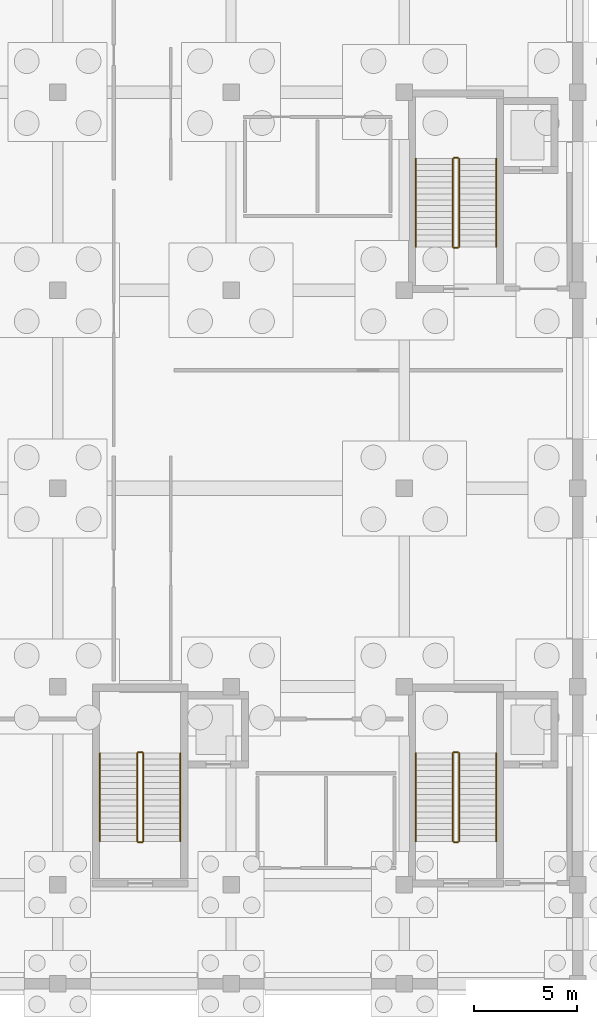
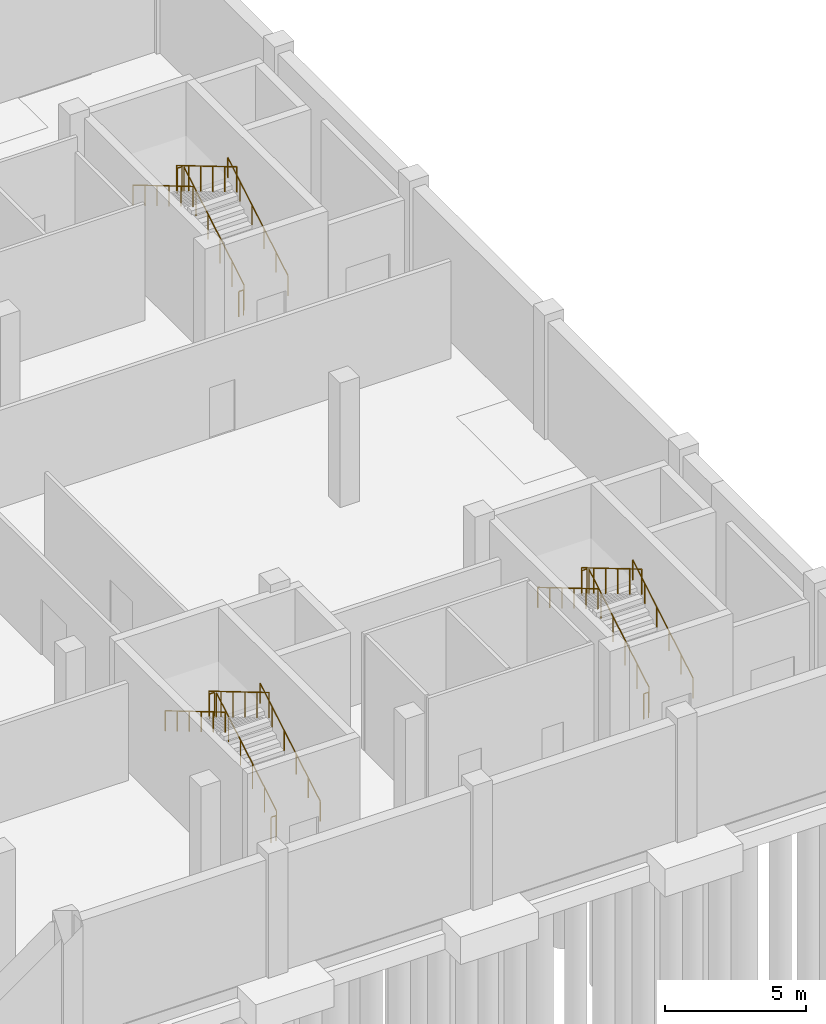
# One storey, part 40 of 41: 18 railings.
"""IFC4 building model written with IfcOpenShell, lengths in metres."""

import ifcopenshell
import ifcopenshell.guid

model = None  # the IFC model being written
_history = None  # IfcOwnerHistory: only IFC2X3 demands one
_inside = {}  # id of a spatial element -> (the spatial element, [elements in it])
_under = {}  # id of a project, library or spatial element -> (it, [spatial elements below it])
_declared = {}  # id of a project -> (the project, [libraries it declares])
_typed = {}  # id of a type object -> (the type object, [elements of that type])
_made_of = {}  # id of a material, layer set ... -> (it, [elements and type objects made of it])


def new_model(schema):
    """Start an empty IFC model of exactly this schema.

    Asked for "IFC4X3", IfcOpenShell would pick the latest addendum, in which some entities
    have other attributes; the version numbers below select the first issue.
    IFC2X3 requires an IfcOwnerHistory on every rooted entity: one is made here for all.
    """
    global model, _history
    if schema == "IFC4X3":
        model = ifcopenshell.file(schema_version=(4, 3, 0, 0))
    else:
        model = ifcopenshell.file(schema=schema)
    _inside.clear()
    _under.clear()
    _declared.clear()
    _typed.clear()
    _made_of.clear()
    _history = None
    if model.schema == "IFC2X3":
        org = make("IfcOrganization", Name="unknown")
        user = make(
            "IfcPersonAndOrganization",
            ThePerson=make("IfcPerson", FamilyName="unknown"),
            TheOrganization=org,
        )
        app = make(
            "IfcApplication",
            ApplicationDeveloper=org,
            Version="unknown",
            ApplicationFullName="unknown",
            ApplicationIdentifier="unknown",
        )
        _history = make(
            "IfcOwnerHistory",
            OwningUser=user,
            OwningApplication=app,
            ChangeAction="ADDED",
            CreationDate=0,
        )
    return model


def make(cls, **values):
    """One entity of the class cls with the attributes given. An attribute that is None is left unset."""
    return model.create_entity(
        cls, **{name: value for name, value in values.items() if value is not None}
    )


def rooted(cls, **values):
    """An entity with a GlobalId (a new one), such as an element, a storey or a relation."""
    return make(cls, GlobalId=ifcopenshell.guid.new(), OwnerHistory=_history, **values)


def si_unit(unit_type, name, prefix=None):
    """IfcSIUnit, for example si_unit("LENGTHUNIT", "METRE", prefix="MILLI")."""
    return make("IfcSIUnit", UnitType=unit_type, Prefix=prefix, Name=name)


def assignment(units):
    """IfcUnitAssignment: the units of a project."""
    return None if units is None else make("IfcUnitAssignment", Units=units)


def point(xyz):
    """IfcCartesianPoint."""
    return None if xyz is None else make("IfcCartesianPoint", Coordinates=xyz)


def direction(xyz):
    """IfcDirection."""
    return None if xyz is None else make("IfcDirection", DirectionRatios=xyz)


def frame(location, z_axis=None, x_axis=None):
    """IfcAxis2Placement3D, a coordinate frame: its origin and axes. An axis left out is left unset."""
    return make(
        "IfcAxis2Placement3D",
        Location=point(location),
        Axis=direction(z_axis),
        RefDirection=direction(x_axis),
    )


def frame_2d(location, x_axis=None):
    """IfcAxis2Placement2D, a coordinate frame in the plane: its origin and x axis."""
    return make(
        "IfcAxis2Placement2D", Location=point(location), RefDirection=direction(x_axis)
    )


def origin():
    """The frame at (0, 0, 0) with its axes left unset."""
    return frame((0.0, 0.0, 0.0))


def origin_2d():
    """The frame at (0, 0) in the plane with its x axis left unset."""
    return frame_2d((0.0, 0.0))


def place(relative_to, where):
    """IfcLocalPlacement: puts the frame where relative to a parent placement (None: the world)."""
    return make(
        "IfcLocalPlacement", PlacementRelTo=relative_to, RelativePlacement=where
    )


def context(
    kind, dimensions, precision=None, world=None, true_north=None, identifier=None
):
    """IfcGeometricRepresentationContext, for example the 3D "Model" context."""
    return make(
        "IfcGeometricRepresentationContext",
        ContextIdentifier=identifier,
        ContextType=kind,
        CoordinateSpaceDimension=dimensions,
        Precision=precision,
        WorldCoordinateSystem=world,
        TrueNorth=true_north,
    )


def subcontext(parent, identifier, kind, view, scale=None):
    """IfcGeometricRepresentationSubContext, for example "Body" below "Model"."""
    return make(
        "IfcGeometricRepresentationSubContext",
        ContextIdentifier=identifier,
        ContextType=kind,
        ParentContext=parent,
        TargetScale=scale,
        TargetView=view,
    )


def project(units=None, contexts=None):
    """IfcProject with its units and contexts."""
    return rooted(
        "IfcProject",
        Name="project",
        RepresentationContexts=contexts,
        UnitsInContext=assignment(units),
    )


def spatial(cls, under=None, at=None, **own):
    """A site, building, storey or space (cls), placed at a placement, below another one or the project."""
    s = rooted(cls, ObjectPlacement=at, **own)
    if under is not None:
        _under.setdefault(under.id(), (under, []))[1].append(s)
    return s


def profile(cls, at=None, kind="AREA", **sizes):
    """A parametric profile (cls). Its sizes go by their IFC names, for example OverallWidth=200.0."""
    return make(cls, ProfileType=kind, Position=at, **sizes)


def circle(**sizes):
    """IfcCircleProfileDef."""
    return profile("IfcCircleProfileDef", **sizes)


def extrude(swept, where, along, depth):
    """IfcExtrudedAreaSolid: the profile swept, set in the frame where, extruded along a direction by depth."""
    return make(
        "IfcExtrudedAreaSolid",
        SweptArea=swept,
        Position=where,
        ExtrudedDirection=direction(along),
        Depth=depth,
    )


def shape(context_of_items, identifier, shape_type, items):
    """IfcShapeRepresentation: the items that make up one representation, for example the "Body"."""
    return make(
        "IfcShapeRepresentation",
        ContextOfItems=context_of_items,
        RepresentationIdentifier=identifier,
        RepresentationType=shape_type,
        Items=items,
    )


def material(Name=None, Category=None):
    """IfcMaterial."""
    return make("IfcMaterial", Name=Name, Category=Category)


def made_of(thing, what):
    """Note that an element or type object is made of a material, layer set ...; save() writes the relation."""
    if what is not None:
        _made_of.setdefault(what.id(), (what, []))[1].append(thing)
    return thing


def type_object(cls, material=None, **own):
    """A type object (cls), such as IfcWallType, which elements share."""
    return made_of(rooted(cls, **own), material)


def element(
    cls,
    number,
    at=None,
    inside=None,
    cuts=None,
    type_object=None,
    material=None,
    context=None,
    identifier="Body",
    shape_type=None,
    held_by="IfcProductDefinitionShape",
    body=None,
    shapes=None,
    **own,
):
    """One element of the class cls, such as IfcWall. Its Tag is "e" and its number.

    at: its placement. inside: the storey or other place that contains it. cuts: it is an
    opening in that element (IfcRelVoidsElement). A single representation is given by context,
    identifier, shape_type and body (its items); several are given by shapes. held_by: the class
    of the entity that holds the representations. save() writes the other relations.
    """
    e = rooted(cls, Tag="e%d" % number, ObjectPlacement=at, **own)
    if body is not None:
        shapes = [shape(context, identifier, shape_type, body)]
    if shapes is not None:
        e.Representation = make(held_by, Representations=shapes)
    if inside is not None:
        _inside.setdefault(inside.id(), (inside, []))[1].append(e)
    if cuts is not None:
        rooted(
            "IfcRelVoidsElement", RelatingBuildingElement=cuts, RelatedOpeningElement=e
        )
    if type_object is not None:
        _typed.setdefault(type_object.id(), (type_object, []))[1].append(e)
    return made_of(e, material)


def aggregate(whole, parts):
    """IfcRelAggregates: a whole, such as a stair, and the parts it consists of."""
    return rooted("IfcRelAggregates", RelatingObject=whole, RelatedObjects=parts)


def save(model, path):
    """Write the relations noted so far, then the file.

    IfcRelAggregates (storeys below a building ...), IfcRelContainedInSpatialStructure (elements
    in a storey), IfcRelDefinesByType, IfcRelAssociatesMaterial and IfcRelDeclares: one each for
    every whole, place, type object, material and project.
    """
    for whole, parts in _under.values():
        aggregate(whole, parts)
    for where, things in _inside.values():
        rooted(
            "IfcRelContainedInSpatialStructure",
            RelatedElements=things,
            RelatingStructure=where,
        )
    for kind, things in _typed.values():
        rooted("IfcRelDefinesByType", RelatedObjects=things, RelatingType=kind)
    for what, things in _made_of.values():
        rooted("IfcRelAssociatesMaterial", RelatedObjects=things, RelatingMaterial=what)
    for by, libraries in _declared.values():
        rooted("IfcRelDeclares", RelatingContext=by, RelatedDefinitions=libraries)
    model.write(path)


model = new_model("IFC4")

# Units and contexts
model_context = context("Model", 3, precision=1e-05, world=origin(), true_north=direction((0.0, 1.0)))
body_context = subcontext(model_context, "Body", "Model", "MODEL_VIEW")
ifc_project = project(units=[si_unit("LENGTHUNIT", "METRE"), si_unit("AREAUNIT", "SQUARE_METRE"), si_unit("VOLUMEUNIT", "CUBIC_METRE"), si_unit("PLANEANGLEUNIT", "RADIAN"), si_unit("MASSUNIT", "GRAM", prefix="KILO")], contexts=[model_context])

# Site, building, storey
site_placement = place(None, origin())
site = spatial("IfcSite", under=ifc_project, at=site_placement, CompositionType="ELEMENT")
building_placement = place(site_placement, origin())
building = spatial("IfcBuilding", under=site, at=building_placement, Name="Shalvenor Court Art Gallery", CompositionType="ELEMENT")
storey_placement = place(building_placement, frame((0.0, 0.0, -5.39990234375)))
storey = spatial("IfcBuildingStorey", under=building, at=storey_placement, Name="B01", CompositionType="ELEMENT", Elevation=-5.39990234375)

# Railings
ifc_material_1 = material(Name="Painted steel post-and-rail guard", Category="steel")
railing_type_1 = type_object("IfcRailingType", Name="GR-02", PredefinedType="GUARDRAIL", material=ifc_material_1)
railing_1_placement = place(storey_placement, frame((170.64990234375, 81.300048828125, 0.168701171875)))
element("IfcRailing", 1, at=railing_1_placement, inside=storey, type_object=railing_type_1, Name="B01 ST-01 Stair Guard 1", PredefinedType="GUARDRAIL", context=body_context, shape_type="SweptSolid", body=[
    extrude(circle(Radius=0.02392578125, at=origin_2d()), frame((0.0, 0.0, 1.09619140625), z_axis=(0.0, 0.860470286479, 0.509500624227), x_axis=(-1.0, 0.0, 0.0)), (0.0, 0.0, 1.0), 4.968017578125),
    extrude(circle(Radius=0.02099609375, at=origin_2d()), origin(), (0.0, 0.0, 1.0), 1.072021484375),
    extrude(circle(Radius=0.02099609375, at=origin_2d()), frame((0.0, 0.85498046875, 0.50634765625)), (0.0, 0.0, 1.0), 1.072021484375),
    extrude(circle(Radius=0.02099609375, at=origin_2d()), frame((0.0, 1.7099609375, 1.012451171875)), (0.0, 0.0, 1.0), 1.072021484375),
    extrude(circle(Radius=0.02099609375, at=origin_2d()), frame((0.0, 2.56494140625, 1.518798828125)), (0.0, 0.0, 1.0), 1.072021484375),
    extrude(circle(Radius=0.02099609375, at=origin_2d()), frame((0.0, 3.419921875, 2.02490234375)), (0.0, 0.0, 1.0), 1.072021484375),
    extrude(circle(Radius=0.02099609375, at=origin_2d()), frame((0.0, 4.27490234375, 2.53125)), (0.0, 0.0, 1.0), 1.072021484375),
])
railing_2_placement = place(storey_placement, frame((170.60009765625, 85.625, 2.699951171875)))
element("IfcRailing", 2, at=railing_2_placement, inside=storey, type_object=railing_type_1, Name="B01 ST-01 Stair Guard 2", PredefinedType="GUARDRAIL", context=body_context, shape_type="SweptSolid", body=[
    extrude(circle(Radius=0.02392578125, at=origin_2d()), frame((0.0, 0.0, 1.09619140625), z_axis=(-1.0, 0.0, 0.0), x_axis=(0.0, -1.0, 0.0)), (0.0, 0.0, 1.0), 0.2001953125),
    extrude(circle(Radius=0.02099609375, at=origin_2d()), origin(), (0.0, 0.0, 1.0), 1.072021484375),
    extrude(circle(Radius=0.02099609375, at=origin_2d()), frame((-0.2001953125, 0.0, 0.0)), (0.0, 0.0, 1.0), 1.072021484375),
])
railing_3_placement = place(storey_placement, frame((170.35009765625, 85.574951171875, 2.86865234375)))
element("IfcRailing", 3, at=railing_3_placement, inside=storey, type_object=railing_type_1, Name="B01 ST-01 Stair Guard 3", PredefinedType="GUARDRAIL", context=body_context, shape_type="SweptSolid", body=[
    extrude(circle(Radius=0.02392578125, at=origin_2d()), frame((0.0, 0.0, 1.09619140625), z_axis=(0.0, -0.860470286479, 0.509500624227), x_axis=(1.0, 0.0, 0.0)), (0.0, 0.0, 1.0), 4.968017578125),
    extrude(circle(Radius=0.02099609375, at=origin_2d()), origin(), (0.0, 0.0, 1.0), 1.072021484375),
    extrude(circle(Radius=0.02099609375, at=origin_2d()), frame((0.0, -0.85498046875, 0.50634765625)), (0.0, 0.0, 1.0), 1.072021484375),
    extrude(circle(Radius=0.02099609375, at=origin_2d()), frame((0.0, -1.7099609375, 1.012451171875)), (0.0, 0.0, 1.0), 1.072021484375),
    extrude(circle(Radius=0.02099609375, at=origin_2d()), frame((0.0, -2.56494140625, 1.518798828125)), (0.0, 0.0, 1.0), 1.072021484375),
    extrude(circle(Radius=0.02099609375, at=origin_2d()), frame((0.0, -3.419921875, 2.02490234375)), (0.0, 0.0, 1.0), 1.072021484375),
    extrude(circle(Radius=0.02099609375, at=origin_2d()), frame((0.0, -4.27490234375, 2.53125)), (0.0, 0.0, 1.0), 1.072021484375),
])
railing_4_placement = place(storey_placement, frame((170.60009765625, 81.25, 0.0)))
element("IfcRailing", 4, at=railing_4_placement, inside=storey, type_object=railing_type_1, Name="B01 ST-01 Stair Guard 4", PredefinedType="GUARDRAIL", context=body_context, shape_type="SweptSolid", body=[
    extrude(circle(Radius=0.02392578125, at=origin_2d()), frame((0.0, 0.0, 1.09619140625), z_axis=(-1.0, 0.0, 0.0), x_axis=(0.0, -1.0, 0.0)), (0.0, 0.0, 1.0), 0.2001953125),
    extrude(circle(Radius=0.02099609375, at=origin_2d()), origin(), (0.0, 0.0, 1.0), 1.072021484375),
    extrude(circle(Radius=0.02099609375, at=origin_2d()), frame((-0.2001953125, 0.0, 0.0)), (0.0, 0.0, 1.0), 1.072021484375),
])
railing_5_placement = place(storey_placement, frame((170.64990234375, 52.5, 0.168701171875)))
element("IfcRailing", 5, at=railing_5_placement, inside=storey, type_object=railing_type_1, Name="B01 ST-02 Stair Guard 1", PredefinedType="GUARDRAIL", context=body_context, shape_type="SweptSolid", body=[
    extrude(circle(Radius=0.02392578125, at=origin_2d()), frame((0.0, 0.0, 1.09619140625), z_axis=(0.0, 0.860470286479, 0.509500624227), x_axis=(-1.0, 0.0, 0.0)), (0.0, 0.0, 1.0), 4.968017578125),
    extrude(circle(Radius=0.02099609375, at=origin_2d()), origin(), (0.0, 0.0, 1.0), 1.072021484375),
    extrude(circle(Radius=0.02099609375, at=origin_2d()), frame((0.0, 0.85498046875, 0.50634765625)), (0.0, 0.0, 1.0), 1.072021484375),
    extrude(circle(Radius=0.02099609375, at=origin_2d()), frame((0.0, 1.7099609375, 1.012451171875)), (0.0, 0.0, 1.0), 1.072021484375),
    extrude(circle(Radius=0.02099609375, at=origin_2d()), frame((0.0, 2.56494140625, 1.518798828125)), (0.0, 0.0, 1.0), 1.072021484375),
    extrude(circle(Radius=0.02099609375, at=origin_2d()), frame((0.0, 3.419921875, 2.02490234375)), (0.0, 0.0, 1.0), 1.072021484375),
    extrude(circle(Radius=0.02099609375, at=origin_2d()), frame((0.0, 4.27490234375, 2.53125)), (0.0, 0.0, 1.0), 1.072021484375),
])
railing_6_placement = place(storey_placement, frame((170.60009765625, 56.824951171875, 2.699951171875)))
element("IfcRailing", 6, at=railing_6_placement, inside=storey, type_object=railing_type_1, Name="B01 ST-02 Stair Guard 2", PredefinedType="GUARDRAIL", context=body_context, shape_type="SweptSolid", body=[
    extrude(circle(Radius=0.02392578125, at=origin_2d()), frame((0.0, 0.0, 1.09619140625), z_axis=(-1.0, 0.0, 0.0), x_axis=(0.0, -1.0, 0.0)), (0.0, 0.0, 1.0), 0.2001953125),
    extrude(circle(Radius=0.02099609375, at=origin_2d()), origin(), (0.0, 0.0, 1.0), 1.072021484375),
    extrude(circle(Radius=0.02099609375, at=origin_2d()), frame((-0.2001953125, 0.0, 0.0)), (0.0, 0.0, 1.0), 1.072021484375),
])
railing_7_placement = place(storey_placement, frame((170.35009765625, 56.77490234375, 2.86865234375)))
element("IfcRailing", 7, at=railing_7_placement, inside=storey, type_object=railing_type_1, Name="B01 ST-02 Stair Guard 3", PredefinedType="GUARDRAIL", context=body_context, shape_type="SweptSolid", body=[
    extrude(circle(Radius=0.02392578125, at=origin_2d()), frame((0.0, 0.0, 1.09619140625), z_axis=(0.0, -0.860470286479, 0.509500624227), x_axis=(1.0, 0.0, 0.0)), (0.0, 0.0, 1.0), 4.968017578125),
    extrude(circle(Radius=0.02099609375, at=origin_2d()), origin(), (0.0, 0.0, 1.0), 1.072021484375),
    extrude(circle(Radius=0.02099609375, at=origin_2d()), frame((0.0, -0.85498046875, 0.50634765625)), (0.0, 0.0, 1.0), 1.072021484375),
    extrude(circle(Radius=0.02099609375, at=origin_2d()), frame((0.0, -1.7099609375, 1.012451171875)), (0.0, 0.0, 1.0), 1.072021484375),
    extrude(circle(Radius=0.02099609375, at=origin_2d()), frame((0.0, -2.56494140625, 1.518798828125)), (0.0, 0.0, 1.0), 1.072021484375),
    extrude(circle(Radius=0.02099609375, at=origin_2d()), frame((0.0, -3.419921875, 2.02490234375)), (0.0, 0.0, 1.0), 1.072021484375),
    extrude(circle(Radius=0.02099609375, at=origin_2d()), frame((0.0, -4.27490234375, 2.53125)), (0.0, 0.0, 1.0), 1.072021484375),
])
railing_8_placement = place(storey_placement, frame((170.60009765625, 52.449951171875, 0.0)))
element("IfcRailing", 8, at=railing_8_placement, inside=storey, type_object=railing_type_1, Name="B01 ST-02 Stair Guard 4", PredefinedType="GUARDRAIL", context=body_context, shape_type="SweptSolid", body=[
    extrude(circle(Radius=0.02392578125, at=origin_2d()), frame((0.0, 0.0, 1.09619140625), z_axis=(-1.0, 0.0, 0.0), x_axis=(0.0, -1.0, 0.0)), (0.0, 0.0, 1.0), 0.2001953125),
    extrude(circle(Radius=0.02099609375, at=origin_2d()), origin(), (0.0, 0.0, 1.0), 1.072021484375),
    extrude(circle(Radius=0.02099609375, at=origin_2d()), frame((-0.2001953125, 0.0, 0.0)), (0.0, 0.0, 1.0), 1.072021484375),
])
railing_9_placement = place(storey_placement, frame((155.35009765625, 52.5, 0.168701171875)))
element("IfcRailing", 9, at=railing_9_placement, inside=storey, type_object=railing_type_1, Name="B01 ST-03 Stair Guard 1", PredefinedType="GUARDRAIL", context=body_context, shape_type="SweptSolid", body=[
    extrude(circle(Radius=0.02392578125, at=origin_2d()), frame((0.0, 0.0, 1.09619140625), z_axis=(0.0, 0.860470286479, 0.509500624227), x_axis=(-1.0, 0.0, 0.0)), (0.0, 0.0, 1.0), 4.968017578125),
    extrude(circle(Radius=0.02099609375, at=origin_2d()), origin(), (0.0, 0.0, 1.0), 1.072021484375),
    extrude(circle(Radius=0.02099609375, at=origin_2d()), frame((0.0, 0.85498046875, 0.50634765625)), (0.0, 0.0, 1.0), 1.072021484375),
    extrude(circle(Radius=0.02099609375, at=origin_2d()), frame((0.0, 1.7099609375, 1.012451171875)), (0.0, 0.0, 1.0), 1.072021484375),
    extrude(circle(Radius=0.02099609375, at=origin_2d()), frame((0.0, 2.56494140625, 1.518798828125)), (0.0, 0.0, 1.0), 1.072021484375),
    extrude(circle(Radius=0.02099609375, at=origin_2d()), frame((0.0, 3.419921875, 2.02490234375)), (0.0, 0.0, 1.0), 1.072021484375),
    extrude(circle(Radius=0.02099609375, at=origin_2d()), frame((0.0, 4.27490234375, 2.53125)), (0.0, 0.0, 1.0), 1.072021484375),
])
railing_10_placement = place(storey_placement, frame((155.300048828125, 56.824951171875, 2.699951171875)))
element("IfcRailing", 10, at=railing_10_placement, inside=storey, type_object=railing_type_1, Name="B01 ST-03 Stair Guard 2", PredefinedType="GUARDRAIL", context=body_context, shape_type="SweptSolid", body=[
    extrude(circle(Radius=0.02392578125, at=origin_2d()), frame((0.0, 0.0, 1.09619140625), z_axis=(-1.0, 0.0, 0.0), x_axis=(0.0, -1.0, 0.0)), (0.0, 0.0, 1.0), 0.199951171875),
    extrude(circle(Radius=0.02099609375, at=origin_2d()), origin(), (0.0, 0.0, 1.0), 1.072021484375),
    extrude(circle(Radius=0.02099609375, at=origin_2d()), frame((-0.199951171875, 0.0, 0.0)), (0.0, 0.0, 1.0), 1.072021484375),
])
railing_11_placement = place(storey_placement, frame((155.050048828125, 56.77490234375, 2.86865234375)))
element("IfcRailing", 11, at=railing_11_placement, inside=storey, type_object=railing_type_1, Name="B01 ST-03 Stair Guard 3", PredefinedType="GUARDRAIL", context=body_context, shape_type="SweptSolid", body=[
    extrude(circle(Radius=0.02392578125, at=origin_2d()), frame((0.0, 0.0, 1.09619140625), z_axis=(0.0, -0.860470286479, 0.509500624227), x_axis=(1.0, 0.0, 0.0)), (0.0, 0.0, 1.0), 4.968017578125),
    extrude(circle(Radius=0.02099609375, at=origin_2d()), origin(), (0.0, 0.0, 1.0), 1.072021484375),
    extrude(circle(Radius=0.02099609375, at=origin_2d()), frame((0.0, -0.85498046875, 0.50634765625)), (0.0, 0.0, 1.0), 1.072021484375),
    extrude(circle(Radius=0.02099609375, at=origin_2d()), frame((0.0, -1.7099609375, 1.012451171875)), (0.0, 0.0, 1.0), 1.072021484375),
    extrude(circle(Radius=0.02099609375, at=origin_2d()), frame((0.0, -2.56494140625, 1.518798828125)), (0.0, 0.0, 1.0), 1.072021484375),
    extrude(circle(Radius=0.02099609375, at=origin_2d()), frame((0.0, -3.419921875, 2.02490234375)), (0.0, 0.0, 1.0), 1.072021484375),
    extrude(circle(Radius=0.02099609375, at=origin_2d()), frame((0.0, -4.27490234375, 2.53125)), (0.0, 0.0, 1.0), 1.072021484375),
])
railing_12_placement = place(storey_placement, frame((155.300048828125, 52.449951171875, 0.0)))
element("IfcRailing", 12, at=railing_12_placement, inside=storey, type_object=railing_type_1, Name="B01 ST-03 Stair Guard 4", PredefinedType="GUARDRAIL", context=body_context, shape_type="SweptSolid", body=[
    extrude(circle(Radius=0.02392578125, at=origin_2d()), frame((0.0, 0.0, 1.09619140625), z_axis=(-1.0, 0.0, 0.0), x_axis=(0.0, -1.0, 0.0)), (0.0, 0.0, 1.0), 0.199951171875),
    extrude(circle(Radius=0.02099609375, at=origin_2d()), origin(), (0.0, 0.0, 1.0), 1.072021484375),
    extrude(circle(Radius=0.02099609375, at=origin_2d()), frame((-0.199951171875, 0.0, 0.0)), (0.0, 0.0, 1.0), 1.072021484375),
])
ifc_material_2 = material(Name="Brushed stainless steel handrail", Category="steel")
railing_type_2 = type_object("IfcRailingType", Name="HR-01", PredefinedType="HANDRAIL", material=ifc_material_2)
railing_13_placement = place(storey_placement, frame((172.449951171875, 81.300048828125, 0.168701171875)))
element("IfcRailing", 13, at=railing_13_placement, inside=storey, type_object=railing_type_2, Name="B01 ST-01 Stair Handrail 1", PredefinedType="HANDRAIL", context=body_context, shape_type="SweptSolid", body=[
    extrude(circle(Radius=0.02392578125, at=origin_2d()), frame((0.0, 0.0, 0.8759765625), z_axis=(0.0, 0.860470286479, 0.509500624227), x_axis=(-1.0, 0.0, 0.0)), (0.0, 0.0, 1.0), 4.968017578125),
    extrude(circle(Radius=0.02099609375, at=origin_2d()), origin(), (0.0, 0.0, 1.0), 0.851806640625),
    extrude(circle(Radius=0.02099609375, at=origin_2d()), frame((0.0, 0.85498046875, 0.50634765625)), (0.0, 0.0, 1.0), 0.851806640625),
    extrude(circle(Radius=0.02099609375, at=origin_2d()), frame((0.0, 1.7099609375, 1.012451171875)), (0.0, 0.0, 1.0), 0.851806640625),
    extrude(circle(Radius=0.02099609375, at=origin_2d()), frame((0.0, 2.56494140625, 1.518798828125)), (0.0, 0.0, 1.0), 0.851806640625),
    extrude(circle(Radius=0.02099609375, at=origin_2d()), frame((0.0, 3.419921875, 2.02490234375)), (0.0, 0.0, 1.0), 0.851806640625),
    extrude(circle(Radius=0.02099609375, at=origin_2d()), frame((0.0, 4.27490234375, 2.53125)), (0.0, 0.0, 1.0), 0.851806640625),
])
railing_14_placement = place(storey_placement, frame((168.550048828125, 85.574951171875, 2.86865234375)))
element("IfcRailing", 14, at=railing_14_placement, inside=storey, type_object=railing_type_2, Name="B01 ST-01 Stair Handrail 2", PredefinedType="HANDRAIL", context=body_context, shape_type="SweptSolid", body=[
    extrude(circle(Radius=0.02392578125, at=origin_2d()), frame((0.0, 0.0, 0.8759765625), z_axis=(0.0, -0.860470286479, 0.509500624227), x_axis=(1.0, 0.0, 0.0)), (0.0, 0.0, 1.0), 4.968017578125),
    extrude(circle(Radius=0.02099609375, at=origin_2d()), origin(), (0.0, 0.0, 1.0), 0.851806640625),
    extrude(circle(Radius=0.02099609375, at=origin_2d()), frame((0.0, -0.85498046875, 0.50634765625)), (0.0, 0.0, 1.0), 0.851806640625),
    extrude(circle(Radius=0.02099609375, at=origin_2d()), frame((0.0, -1.7099609375, 1.012451171875)), (0.0, 0.0, 1.0), 0.851806640625),
    extrude(circle(Radius=0.02099609375, at=origin_2d()), frame((0.0, -2.56494140625, 1.518798828125)), (0.0, 0.0, 1.0), 0.851806640625),
    extrude(circle(Radius=0.02099609375, at=origin_2d()), frame((0.0, -3.419921875, 2.02490234375)), (0.0, 0.0, 1.0), 0.851806640625),
    extrude(circle(Radius=0.02099609375, at=origin_2d()), frame((0.0, -4.27490234375, 2.53125)), (0.0, 0.0, 1.0), 0.851806640625),
])
railing_15_placement = place(storey_placement, frame((172.449951171875, 52.5, 0.168701171875)))
element("IfcRailing", 15, at=railing_15_placement, inside=storey, type_object=railing_type_2, Name="B01 ST-02 Stair Handrail 1", PredefinedType="HANDRAIL", context=body_context, shape_type="SweptSolid", body=[
    extrude(circle(Radius=0.02392578125, at=origin_2d()), frame((0.0, 0.0, 0.8759765625), z_axis=(0.0, 0.860470286479, 0.509500624227), x_axis=(-1.0, 0.0, 0.0)), (0.0, 0.0, 1.0), 4.968017578125),
    extrude(circle(Radius=0.02099609375, at=origin_2d()), origin(), (0.0, 0.0, 1.0), 0.851806640625),
    extrude(circle(Radius=0.02099609375, at=origin_2d()), frame((0.0, 0.85498046875, 0.50634765625)), (0.0, 0.0, 1.0), 0.851806640625),
    extrude(circle(Radius=0.02099609375, at=origin_2d()), frame((0.0, 1.7099609375, 1.012451171875)), (0.0, 0.0, 1.0), 0.851806640625),
    extrude(circle(Radius=0.02099609375, at=origin_2d()), frame((0.0, 2.56494140625, 1.518798828125)), (0.0, 0.0, 1.0), 0.851806640625),
    extrude(circle(Radius=0.02099609375, at=origin_2d()), frame((0.0, 3.419921875, 2.02490234375)), (0.0, 0.0, 1.0), 0.851806640625),
    extrude(circle(Radius=0.02099609375, at=origin_2d()), frame((0.0, 4.27490234375, 2.53125)), (0.0, 0.0, 1.0), 0.851806640625),
])
railing_16_placement = place(storey_placement, frame((168.550048828125, 56.77490234375, 2.86865234375)))
element("IfcRailing", 16, at=railing_16_placement, inside=storey, type_object=railing_type_2, Name="B01 ST-02 Stair Handrail 2", PredefinedType="HANDRAIL", context=body_context, shape_type="SweptSolid", body=[
    extrude(circle(Radius=0.02392578125, at=origin_2d()), frame((0.0, 0.0, 0.8759765625), z_axis=(0.0, -0.860470286479, 0.509500624227), x_axis=(1.0, 0.0, 0.0)), (0.0, 0.0, 1.0), 4.968017578125),
    extrude(circle(Radius=0.02099609375, at=origin_2d()), origin(), (0.0, 0.0, 1.0), 0.851806640625),
    extrude(circle(Radius=0.02099609375, at=origin_2d()), frame((0.0, -0.85498046875, 0.50634765625)), (0.0, 0.0, 1.0), 0.851806640625),
    extrude(circle(Radius=0.02099609375, at=origin_2d()), frame((0.0, -1.7099609375, 1.012451171875)), (0.0, 0.0, 1.0), 0.851806640625),
    extrude(circle(Radius=0.02099609375, at=origin_2d()), frame((0.0, -2.56494140625, 1.518798828125)), (0.0, 0.0, 1.0), 0.851806640625),
    extrude(circle(Radius=0.02099609375, at=origin_2d()), frame((0.0, -3.419921875, 2.02490234375)), (0.0, 0.0, 1.0), 0.851806640625),
    extrude(circle(Radius=0.02099609375, at=origin_2d()), frame((0.0, -4.27490234375, 2.53125)), (0.0, 0.0, 1.0), 0.851806640625),
])
railing_17_placement = place(storey_placement, frame((157.14990234375, 52.5, 0.168701171875)))
element("IfcRailing", 17, at=railing_17_placement, inside=storey, type_object=railing_type_2, Name="B01 ST-03 Stair Handrail 1", PredefinedType="HANDRAIL", context=body_context, shape_type="SweptSolid", body=[
    extrude(circle(Radius=0.02392578125, at=origin_2d()), frame((0.0, 0.0, 0.8759765625), z_axis=(0.0, 0.860470286479, 0.509500624227), x_axis=(-1.0, 0.0, 0.0)), (0.0, 0.0, 1.0), 4.968017578125),
    extrude(circle(Radius=0.02099609375, at=origin_2d()), origin(), (0.0, 0.0, 1.0), 0.851806640625),
    extrude(circle(Radius=0.02099609375, at=origin_2d()), frame((0.0, 0.85498046875, 0.50634765625)), (0.0, 0.0, 1.0), 0.851806640625),
    extrude(circle(Radius=0.02099609375, at=origin_2d()), frame((0.0, 1.7099609375, 1.012451171875)), (0.0, 0.0, 1.0), 0.851806640625),
    extrude(circle(Radius=0.02099609375, at=origin_2d()), frame((0.0, 2.56494140625, 1.518798828125)), (0.0, 0.0, 1.0), 0.851806640625),
    extrude(circle(Radius=0.02099609375, at=origin_2d()), frame((0.0, 3.419921875, 2.02490234375)), (0.0, 0.0, 1.0), 0.851806640625),
    extrude(circle(Radius=0.02099609375, at=origin_2d()), frame((0.0, 4.27490234375, 2.53125)), (0.0, 0.0, 1.0), 0.851806640625),
])
railing_18_placement = place(storey_placement, frame((153.25, 56.77490234375, 2.86865234375)))
element("IfcRailing", 18, at=railing_18_placement, inside=storey, type_object=railing_type_2, Name="B01 ST-03 Stair Handrail 2", PredefinedType="HANDRAIL", context=body_context, shape_type="SweptSolid", body=[
    extrude(circle(Radius=0.02392578125, at=origin_2d()), frame((0.0, 0.0, 0.8759765625), z_axis=(0.0, -0.860470286479, 0.509500624227), x_axis=(1.0, 0.0, 0.0)), (0.0, 0.0, 1.0), 4.968017578125),
    extrude(circle(Radius=0.02099609375, at=origin_2d()), origin(), (0.0, 0.0, 1.0), 0.851806640625),
    extrude(circle(Radius=0.02099609375, at=origin_2d()), frame((0.0, -0.85498046875, 0.50634765625)), (0.0, 0.0, 1.0), 0.851806640625),
    extrude(circle(Radius=0.02099609375, at=origin_2d()), frame((0.0, -1.7099609375, 1.012451171875)), (0.0, 0.0, 1.0), 0.851806640625),
    extrude(circle(Radius=0.02099609375, at=origin_2d()), frame((0.0, -2.56494140625, 1.518798828125)), (0.0, 0.0, 1.0), 0.851806640625),
    extrude(circle(Radius=0.02099609375, at=origin_2d()), frame((0.0, -3.419921875, 2.02490234375)), (0.0, 0.0, 1.0), 0.851806640625),
    extrude(circle(Radius=0.02099609375, at=origin_2d()), frame((0.0, -4.27490234375, 2.53125)), (0.0, 0.0, 1.0), 0.851806640625),
])

save(model, "model.ifc")
